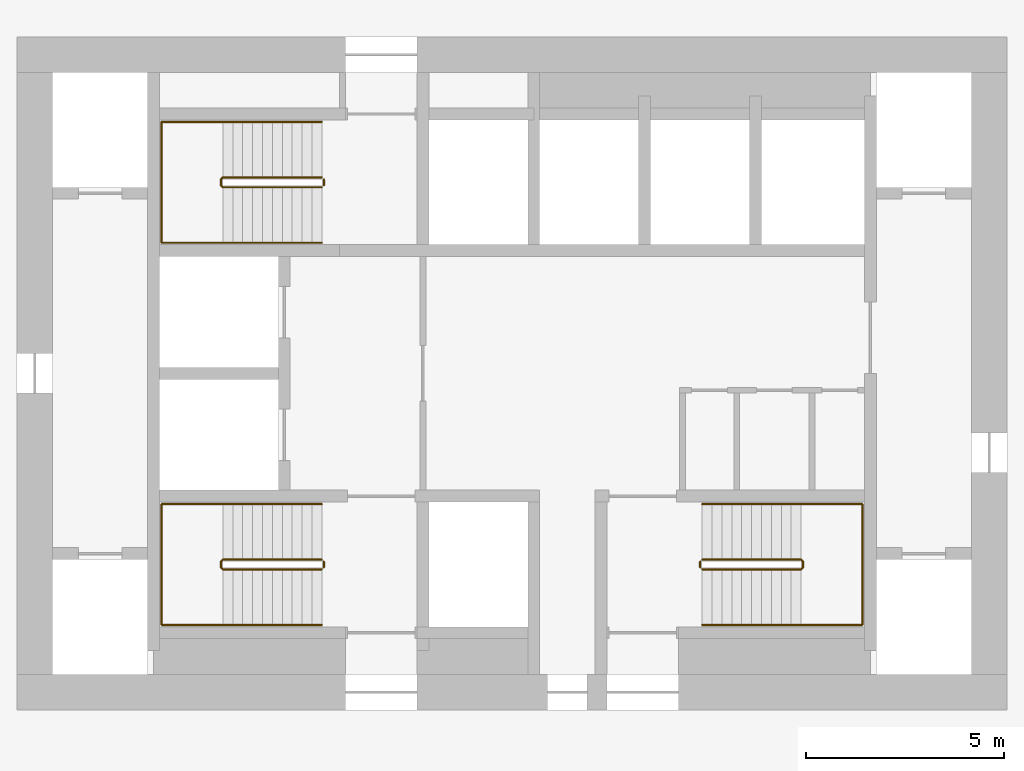
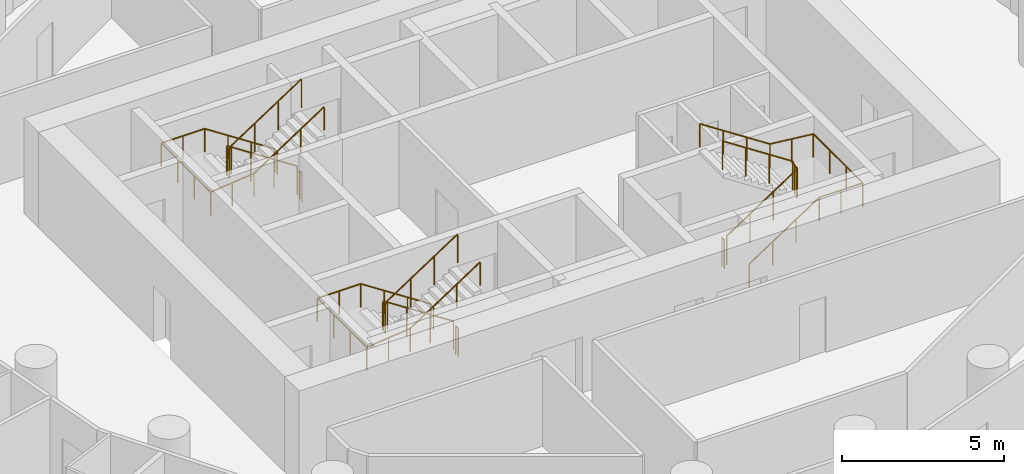
# One storey, part 10 of 10: 9 railings.
"""IFC4 building model written with IfcOpenShell, lengths in metres."""

from ifc_helpers import new_model, si_unit, direction, frame, origin, origin_2d, place, context, subcontext, project, spatial, circle, extrude, material, type_object, element, save


model = new_model("IFC4")

# Units and contexts
model_context = context("Model", 3, precision=1e-05, world=origin(), true_north=direction((0.0, 1.0)))
body_context = subcontext(model_context, "Body", "Model", "MODEL_VIEW")
ifc_project = project(units=[si_unit("LENGTHUNIT", "METRE"), si_unit("AREAUNIT", "SQUARE_METRE"), si_unit("VOLUMEUNIT", "CUBIC_METRE"), si_unit("PLANEANGLEUNIT", "RADIAN"), si_unit("MASSUNIT", "GRAM", prefix="KILO")], contexts=[model_context])

# Site, building, storey
site_placement = place(None, origin())
site = spatial("IfcSite", under=ifc_project, at=site_placement, CompositionType="ELEMENT")
building_placement = place(site_placement, origin())
building = spatial("IfcBuilding", under=site, at=building_placement, Name="Tracery Tower", CompositionType="ELEMENT")
storey_placement = place(building_placement, frame((0.0, 0.0, 194.39990234375)))
storey = spatial("IfcBuildingStorey", under=building, at=storey_placement, Name="L50", CompositionType="ELEMENT", Elevation=194.39990234375)

# Railings
ifc_material_1 = material(Name="Stainless steel and laminated glass", Category="steel")
railing_type_1 = type_object("IfcRailingType", Name="Stair guard 1100", PredefinedType="GUARDRAIL", material=ifc_material_1)
railing_1_placement = place(storey_placement, frame((-4.800048828125, -4.699951171875, 0.163818359375)))
element("IfcRailing", 1, at=railing_1_placement, inside=storey, type_object=railing_type_1, Name="L50 stair ST1 guard 1", PredefinedType="GUARDRAIL", context=body_context, shape_type="SweptSolid", body=[
    extrude(circle(Radius=0.02392578125, at=origin_2d()), frame((0.0, 0.0, 1.076171875), z_axis=(-0.836721939367, 0.0, 0.547627972425), x_axis=(0.0, -1.0, 0.0)), (0.0, 0.0, 1.0), 2.98779296875),
    extrude(circle(Radius=0.02392578125, at=origin_2d()), frame((-2.5, 0.0, 2.71240234375), z_axis=(-0.707106781187, -0.707106781187, 0.0), x_axis=(0.707106781187, -0.707106781187, 0.0)), (0.0, 0.0, 1.0), 0.07080078125),
    extrude(circle(Radius=0.02392578125, at=origin_2d()), frame((-2.550048828125, -0.050048828125, 2.71240234375), z_axis=(0.0, -1.0, 0.0), x_axis=(1.0, 0.0, 0.0)), (0.0, 0.0, 1.0), 0.14990234375),
    extrude(circle(Radius=0.02392578125, at=origin_2d()), frame((-2.550048828125, -0.199951171875, 2.71240234375), z_axis=(0.280808744504, -0.280808744504, 0.917765164963), x_axis=(0.707106781187, 0.707106781187, 0.0)), (0.0, 0.0, 1.0), 0.17822265625),
    extrude(circle(Radius=0.02392578125, at=origin_2d()), frame((-2.5, -0.25, 2.8759765625), z_axis=(0.83668449804, 0.0, 0.54768517484), x_axis=(0.0, 1.0, 0.0)), (0.0, 0.0, 1.0), 2.988037109375),
    extrude(circle(Radius=0.02099609375, at=origin_2d()), origin(), (0.0, 0.0, 1.0), 1.052001953125),
    extrude(circle(Radius=0.02099609375, at=origin_2d()), frame((-0.833251953125, 0.0, 0.54541015625)), (0.0, 0.0, 1.0), 1.052001953125),
    extrude(circle(Radius=0.02099609375, at=origin_2d()), frame((-1.666748046875, 0.0, 1.0908203125)), (0.0, 0.0, 1.0), 1.052001953125),
    extrude(circle(Radius=0.02099609375, at=origin_2d()), frame((-2.5, 0.0, 1.63623046875)), (0.0, 0.0, 1.0), 1.052001953125),
    extrude(circle(Radius=0.02099609375, at=origin_2d()), frame((-2.550048828125, -0.050048828125, 1.63623046875)), (0.0, 0.0, 1.0), 1.052001953125),
    extrude(circle(Radius=0.02099609375, at=origin_2d()), frame((-2.550048828125, -0.199951171875, 1.63623046875)), (0.0, 0.0, 1.0), 1.052001953125),
    extrude(circle(Radius=0.02099609375, at=origin_2d()), frame((-2.5, -0.25, 1.7998046875)), (0.0, 0.0, 1.0), 1.052001953125),
    extrude(circle(Radius=0.02099609375, at=origin_2d()), frame((-1.666748046875, -0.25, 2.34521484375)), (0.0, 0.0, 1.0), 1.052001953125),
    extrude(circle(Radius=0.02099609375, at=origin_2d()), frame((-0.833251953125, -0.25, 2.890869140625)), (0.0, 0.0, 1.0), 1.052001953125),
    extrude(circle(Radius=0.02099609375, at=origin_2d()), frame((0.0, -0.25, 3.436279296875)), (0.0, 0.0, 1.0), 1.052001953125),
])
railing_2_placement = place(storey_placement, frame((-4.75, -4.75, 0.0)))
element("IfcRailing", 2, at=railing_2_placement, inside=storey, type_object=railing_type_1, Name="L50 stair ST1 guard 2", PredefinedType="GUARDRAIL", context=body_context, shape_type="SweptSolid", body=[
    extrude(circle(Radius=0.02392578125, at=origin_2d()), frame((0.0, 0.0, 1.076171875), z_axis=(0.0, -1.0, 0.0), x_axis=(1.0, 0.0, 0.0)), (0.0, 0.0, 1.0), 0.14990234375),
    extrude(circle(Radius=0.02099609375, at=origin_2d()), origin(), (0.0, 0.0, 1.0), 1.052001953125),
    extrude(circle(Radius=0.02099609375, at=origin_2d()), frame((0.0, -0.14990234375, 0.0)), (0.0, 0.0, 1.0), 1.052001953125),
])
railing_3_placement = place(storey_placement, frame((-4.800048828125, 4.949951171875, 0.163818359375)))
element("IfcRailing", 3, at=railing_3_placement, inside=storey, type_object=railing_type_1, Name="L50 stair ST3 guard 1", PredefinedType="GUARDRAIL", context=body_context, shape_type="SweptSolid", body=[
    extrude(circle(Radius=0.02392578125, at=origin_2d()), frame((0.0, 0.0, 1.076171875), z_axis=(-0.836721939367, 0.0, 0.547627972425), x_axis=(0.0, -1.0, 0.0)), (0.0, 0.0, 1.0), 2.98779296875),
    extrude(circle(Radius=0.02392578125, at=origin_2d()), frame((-2.5, 0.0, 2.71240234375), z_axis=(-0.707106781187, -0.707106781187, 0.0), x_axis=(0.707106781187, -0.707106781187, 0.0)), (0.0, 0.0, 1.0), 0.07080078125),
    extrude(circle(Radius=0.02392578125, at=origin_2d()), frame((-2.550048828125, -0.050048828125, 2.71240234375), z_axis=(0.0, -1.0, 0.0), x_axis=(1.0, 0.0, 0.0)), (0.0, 0.0, 1.0), 0.14990234375),
    extrude(circle(Radius=0.02392578125, at=origin_2d()), frame((-2.550048828125, -0.199951171875, 2.71240234375), z_axis=(0.280808744504, -0.280808744504, 0.917765164963), x_axis=(0.707106781187, 0.707106781187, 0.0)), (0.0, 0.0, 1.0), 0.17822265625),
    extrude(circle(Radius=0.02392578125, at=origin_2d()), frame((-2.5, -0.25, 2.8759765625), z_axis=(0.83668449804, 0.0, 0.54768517484), x_axis=(0.0, 1.0, 0.0)), (0.0, 0.0, 1.0), 2.988037109375),
    extrude(circle(Radius=0.02099609375, at=origin_2d()), origin(), (0.0, 0.0, 1.0), 1.052001953125),
    extrude(circle(Radius=0.02099609375, at=origin_2d()), frame((-0.833251953125, 0.0, 0.54541015625)), (0.0, 0.0, 1.0), 1.052001953125),
    extrude(circle(Radius=0.02099609375, at=origin_2d()), frame((-1.666748046875, 0.0, 1.0908203125)), (0.0, 0.0, 1.0), 1.052001953125),
    extrude(circle(Radius=0.02099609375, at=origin_2d()), frame((-2.5, 0.0, 1.63623046875)), (0.0, 0.0, 1.0), 1.052001953125),
    extrude(circle(Radius=0.02099609375, at=origin_2d()), frame((-2.550048828125, -0.050048828125, 1.63623046875)), (0.0, 0.0, 1.0), 1.052001953125),
    extrude(circle(Radius=0.02099609375, at=origin_2d()), frame((-2.550048828125, -0.199951171875, 1.63623046875)), (0.0, 0.0, 1.0), 1.052001953125),
    extrude(circle(Radius=0.02099609375, at=origin_2d()), frame((-2.5, -0.25, 1.7998046875)), (0.0, 0.0, 1.0), 1.052001953125),
    extrude(circle(Radius=0.02099609375, at=origin_2d()), frame((-1.666748046875, -0.25, 2.34521484375)), (0.0, 0.0, 1.0), 1.052001953125),
    extrude(circle(Radius=0.02099609375, at=origin_2d()), frame((-0.833251953125, -0.25, 2.890869140625)), (0.0, 0.0, 1.0), 1.052001953125),
    extrude(circle(Radius=0.02099609375, at=origin_2d()), frame((0.0, -0.25, 3.436279296875)), (0.0, 0.0, 1.0), 1.052001953125),
])
railing_4_placement = place(storey_placement, frame((-4.75, 4.89990234375, 0.0)))
element("IfcRailing", 4, at=railing_4_placement, inside=storey, type_object=railing_type_1, Name="L50 stair ST3 guard 2", PredefinedType="GUARDRAIL", context=body_context, shape_type="SweptSolid", body=[
    extrude(circle(Radius=0.02392578125, at=origin_2d()), frame((0.0, 0.0, 1.076171875), z_axis=(0.0, -1.0, 0.0), x_axis=(1.0, 0.0, 0.0)), (0.0, 0.0, 1.0), 0.14990234375),
    extrude(circle(Radius=0.02099609375, at=origin_2d()), origin(), (0.0, 0.0, 1.0), 1.052001953125),
    extrude(circle(Radius=0.02099609375, at=origin_2d()), frame((0.0, -0.14990234375, 0.0)), (0.0, 0.0, 1.0), 1.052001953125),
])
railing_5_placement = place(storey_placement, frame((4.800048828125, -4.949951171875, 0.163818359375)))
element("IfcRailing", 5, at=railing_5_placement, inside=storey, type_object=railing_type_1, Name="L50 stair ST2 guard 1", PredefinedType="GUARDRAIL", context=body_context, shape_type="SweptSolid", body=[
    extrude(circle(Radius=0.02392578125, at=origin_2d()), frame((0.0, 0.0, 1.076171875), z_axis=(0.836721939367, 0.0, 0.547627972425), x_axis=(0.0, 1.0, 0.0)), (0.0, 0.0, 1.0), 2.98779296875),
    extrude(circle(Radius=0.02392578125, at=origin_2d()), frame((2.5, 0.0, 2.71240234375), z_axis=(0.707106781187, 0.707106781187, 0.0), x_axis=(-0.707106781187, 0.707106781187, 0.0)), (0.0, 0.0, 1.0), 0.07080078125),
    extrude(circle(Radius=0.02392578125, at=origin_2d()), frame((2.550048828125, 0.050048828125, 2.71240234375), z_axis=(0.0, 1.0, 0.0), x_axis=(-1.0, 0.0, 0.0)), (0.0, 0.0, 1.0), 0.14990234375),
    extrude(circle(Radius=0.02392578125, at=origin_2d()), frame((2.550048828125, 0.199951171875, 2.71240234375), z_axis=(-0.280808744504, 0.280808744504, 0.917765164963), x_axis=(-0.707106781187, -0.707106781187, 0.0)), (0.0, 0.0, 1.0), 0.17822265625),
    extrude(circle(Radius=0.02392578125, at=origin_2d()), frame((2.5, 0.25, 2.8759765625), z_axis=(-0.83668449804, 0.0, 0.54768517484), x_axis=(0.0, -1.0, 0.0)), (0.0, 0.0, 1.0), 2.988037109375),
    extrude(circle(Radius=0.02099609375, at=origin_2d()), origin(), (0.0, 0.0, 1.0), 1.052001953125),
    extrude(circle(Radius=0.02099609375, at=origin_2d()), frame((0.833251953125, 0.0, 0.54541015625)), (0.0, 0.0, 1.0), 1.052001953125),
    extrude(circle(Radius=0.02099609375, at=origin_2d()), frame((1.666748046875, 0.0, 1.0908203125)), (0.0, 0.0, 1.0), 1.052001953125),
    extrude(circle(Radius=0.02099609375, at=origin_2d()), frame((2.5, 0.0, 1.63623046875)), (0.0, 0.0, 1.0), 1.052001953125),
    extrude(circle(Radius=0.02099609375, at=origin_2d()), frame((2.550048828125, 0.050048828125, 1.63623046875)), (0.0, 0.0, 1.0), 1.052001953125),
    extrude(circle(Radius=0.02099609375, at=origin_2d()), frame((2.550048828125, 0.199951171875, 1.63623046875)), (0.0, 0.0, 1.0), 1.052001953125),
    extrude(circle(Radius=0.02099609375, at=origin_2d()), frame((2.5, 0.25, 1.7998046875)), (0.0, 0.0, 1.0), 1.052001953125),
    extrude(circle(Radius=0.02099609375, at=origin_2d()), frame((1.666748046875, 0.25, 2.34521484375)), (0.0, 0.0, 1.0), 1.052001953125),
    extrude(circle(Radius=0.02099609375, at=origin_2d()), frame((0.833251953125, 0.25, 2.890869140625)), (0.0, 0.0, 1.0), 1.052001953125),
    extrude(circle(Radius=0.02099609375, at=origin_2d()), frame((0.0, 0.25, 3.436279296875)), (0.0, 0.0, 1.0), 1.052001953125),
])
railing_6_placement = place(storey_placement, frame((4.75, -4.89990234375, 0.0)))
element("IfcRailing", 6, at=railing_6_placement, inside=storey, type_object=railing_type_1, Name="L50 stair ST2 guard 2", PredefinedType="GUARDRAIL", context=body_context, shape_type="SweptSolid", body=[
    extrude(circle(Radius=0.02392578125, at=origin_2d()), frame((0.0, 0.0, 1.076171875), z_axis=(0.0, 1.0, 0.0), x_axis=(-1.0, 0.0, 0.0)), (0.0, 0.0, 1.0), 0.14990234375),
    extrude(circle(Radius=0.02099609375, at=origin_2d()), origin(), (0.0, 0.0, 1.0), 1.052001953125),
    extrude(circle(Radius=0.02099609375, at=origin_2d()), frame((0.0, 0.14990234375, 0.0)), (0.0, 0.0, 1.0), 1.052001953125),
])
ifc_material_2 = material(Name="Stainless steel and laminated glass", Category="steel")
railing_type_2 = type_object("IfcRailingType", Name="Stair handrail 900", PredefinedType="HANDRAIL", material=ifc_material_2)
railing_7_placement = place(storey_placement, frame((-4.800048828125, -3.300048828125, 0.163818359375)))
element("IfcRailing", 7, at=railing_7_placement, inside=storey, type_object=railing_type_2, Name="L50 stair ST1 handrail 1", PredefinedType="HANDRAIL", context=body_context, shape_type="SweptSolid", body=[
    extrude(circle(Radius=0.02392578125, at=origin_2d()), frame((0.0, 0.0, 0.8759765625), z_axis=(-0.836721939367, 0.0, 0.547627972425), x_axis=(0.0, -1.0, 0.0)), (0.0, 0.0, 1.0), 2.98779296875),
    extrude(circle(Radius=0.02392578125, at=origin_2d()), frame((-2.5, 0.0, 2.51220703125), z_axis=(-1.0, 0.0, 0.0), x_axis=(0.0, -1.0, 0.0)), (0.0, 0.0, 1.0), 1.550048828125),
    extrude(circle(Radius=0.02392578125, at=origin_2d()), frame((-4.050048828125, 0.0, 2.51220703125), z_axis=(0.0, -1.0, 0.0), x_axis=(1.0, 0.0, 0.0)), (0.0, 0.0, 1.0), 3.050048828125),
    extrude(circle(Radius=0.02392578125, at=origin_2d()), frame((-4.050048828125, -3.050048828125, 2.51220703125), z_axis=(0.994477953863, 0.0, 0.104945696817), x_axis=(0.0, 1.0, 0.0)), (0.0, 0.0, 1.0), 1.55859375),
    extrude(circle(Radius=0.02392578125, at=origin_2d()), frame((-2.5, -3.050048828125, 2.67578125), z_axis=(0.83668449804, 0.0, 0.54768517484), x_axis=(0.0, 1.0, 0.0)), (0.0, 0.0, 1.0), 2.988037109375),
    extrude(circle(Radius=0.02099609375, at=origin_2d()), origin(), (0.0, 0.0, 1.0), 0.851806640625),
    extrude(circle(Radius=0.02099609375, at=origin_2d()), frame((-0.833251953125, 0.0, 0.54541015625)), (0.0, 0.0, 1.0), 0.851806640625),
    extrude(circle(Radius=0.02099609375, at=origin_2d()), frame((-1.666748046875, 0.0, 1.0908203125)), (0.0, 0.0, 1.0), 0.851806640625),
    extrude(circle(Radius=0.02099609375, at=origin_2d()), frame((-2.5, 0.0, 1.63623046875)), (0.0, 0.0, 1.0), 0.851806640625),
    extrude(circle(Radius=0.02099609375, at=origin_2d()), frame((-3.27490234375, 0.0, 1.63623046875)), (0.0, 0.0, 1.0), 0.851806640625),
    extrude(circle(Radius=0.02099609375, at=origin_2d()), frame((-4.050048828125, 0.0, 1.63623046875)), (0.0, 0.0, 1.0), 0.851806640625),
    extrude(circle(Radius=0.02099609375, at=origin_2d()), frame((-4.050048828125, -1.0166015625, 1.63623046875)), (0.0, 0.0, 1.0), 0.851806640625),
    extrude(circle(Radius=0.02099609375, at=origin_2d()), frame((-4.050048828125, -2.033447265625, 1.63623046875)), (0.0, 0.0, 1.0), 0.851806640625),
    extrude(circle(Radius=0.02099609375, at=origin_2d()), frame((-4.050048828125, -3.050048828125, 1.63623046875)), (0.0, 0.0, 1.0), 0.851806640625),
    extrude(circle(Radius=0.02099609375, at=origin_2d()), frame((-3.27490234375, -3.050048828125, 1.718017578125)), (0.0, 0.0, 1.0), 0.851806640625),
    extrude(circle(Radius=0.02099609375, at=origin_2d()), frame((-2.5, -3.050048828125, 1.7998046875)), (0.0, 0.0, 1.0), 0.851806640625),
    extrude(circle(Radius=0.02099609375, at=origin_2d()), frame((-1.666748046875, -3.050048828125, 2.34521484375)), (0.0, 0.0, 1.0), 0.851806640625),
    extrude(circle(Radius=0.02099609375, at=origin_2d()), frame((-0.833251953125, -3.050048828125, 2.890869140625)), (0.0, 0.0, 1.0), 0.851806640625),
    extrude(circle(Radius=0.02099609375, at=origin_2d()), frame((0.0, -3.050048828125, 3.436279296875)), (0.0, 0.0, 1.0), 0.851806640625),
])
railing_8_placement = place(storey_placement, frame((-4.800048828125, 6.35009765625, 0.163818359375)))
element("IfcRailing", 8, at=railing_8_placement, inside=storey, type_object=railing_type_2, Name="L50 stair ST3 handrail 1", PredefinedType="HANDRAIL", context=body_context, shape_type="SweptSolid", body=[
    extrude(circle(Radius=0.02392578125, at=origin_2d()), frame((0.0, 0.0, 0.8759765625), z_axis=(-0.836721939367, 0.0, 0.547627972425), x_axis=(0.0, -1.0, 0.0)), (0.0, 0.0, 1.0), 2.98779296875),
    extrude(circle(Radius=0.02392578125, at=origin_2d()), frame((-2.5, 0.0, 2.51220703125), z_axis=(-1.0, 0.0, 0.0), x_axis=(0.0, -1.0, 0.0)), (0.0, 0.0, 1.0), 1.550048828125),
    extrude(circle(Radius=0.02392578125, at=origin_2d()), frame((-4.050048828125, 0.0, 2.51220703125), z_axis=(0.0, -1.0, 0.0), x_axis=(1.0, 0.0, 0.0)), (0.0, 0.0, 1.0), 3.050048828125),
    extrude(circle(Radius=0.02392578125, at=origin_2d()), frame((-4.050048828125, -3.050048828125, 2.51220703125), z_axis=(0.994477953863, 0.0, 0.104945696817), x_axis=(0.0, 1.0, 0.0)), (0.0, 0.0, 1.0), 1.55859375),
    extrude(circle(Radius=0.02392578125, at=origin_2d()), frame((-2.5, -3.050048828125, 2.67578125), z_axis=(0.83668449804, 0.0, 0.54768517484), x_axis=(0.0, 1.0, 0.0)), (0.0, 0.0, 1.0), 2.988037109375),
    extrude(circle(Radius=0.02099609375, at=origin_2d()), origin(), (0.0, 0.0, 1.0), 0.851806640625),
    extrude(circle(Radius=0.02099609375, at=origin_2d()), frame((-0.833251953125, 0.0, 0.54541015625)), (0.0, 0.0, 1.0), 0.851806640625),
    extrude(circle(Radius=0.02099609375, at=origin_2d()), frame((-1.666748046875, 0.0, 1.0908203125)), (0.0, 0.0, 1.0), 0.851806640625),
    extrude(circle(Radius=0.02099609375, at=origin_2d()), frame((-2.5, 0.0, 1.63623046875)), (0.0, 0.0, 1.0), 0.851806640625),
    extrude(circle(Radius=0.02099609375, at=origin_2d()), frame((-3.27490234375, 0.0, 1.63623046875)), (0.0, 0.0, 1.0), 0.851806640625),
    extrude(circle(Radius=0.02099609375, at=origin_2d()), frame((-4.050048828125, 0.0, 1.63623046875)), (0.0, 0.0, 1.0), 0.851806640625),
    extrude(circle(Radius=0.02099609375, at=origin_2d()), frame((-4.050048828125, -1.0166015625, 1.63623046875)), (0.0, 0.0, 1.0), 0.851806640625),
    extrude(circle(Radius=0.02099609375, at=origin_2d()), frame((-4.050048828125, -2.033447265625, 1.63623046875)), (0.0, 0.0, 1.0), 0.851806640625),
    extrude(circle(Radius=0.02099609375, at=origin_2d()), frame((-4.050048828125, -3.050048828125, 1.63623046875)), (0.0, 0.0, 1.0), 0.851806640625),
    extrude(circle(Radius=0.02099609375, at=origin_2d()), frame((-3.27490234375, -3.050048828125, 1.718017578125)), (0.0, 0.0, 1.0), 0.851806640625),
    extrude(circle(Radius=0.02099609375, at=origin_2d()), frame((-2.5, -3.050048828125, 1.7998046875)), (0.0, 0.0, 1.0), 0.851806640625),
    extrude(circle(Radius=0.02099609375, at=origin_2d()), frame((-1.666748046875, -3.050048828125, 2.34521484375)), (0.0, 0.0, 1.0), 0.851806640625),
    extrude(circle(Radius=0.02099609375, at=origin_2d()), frame((-0.833251953125, -3.050048828125, 2.890869140625)), (0.0, 0.0, 1.0), 0.851806640625),
    extrude(circle(Radius=0.02099609375, at=origin_2d()), frame((0.0, -3.050048828125, 3.436279296875)), (0.0, 0.0, 1.0), 0.851806640625),
])
railing_9_placement = place(storey_placement, frame((4.800048828125, -6.35009765625, 0.163818359375)))
element("IfcRailing", 9, at=railing_9_placement, inside=storey, type_object=railing_type_2, Name="L50 stair ST2 handrail 1", PredefinedType="HANDRAIL", context=body_context, shape_type="SweptSolid", body=[
    extrude(circle(Radius=0.02392578125, at=origin_2d()), frame((0.0, 0.0, 0.8759765625), z_axis=(0.836721939367, 0.0, 0.547627972425), x_axis=(0.0, 1.0, 0.0)), (0.0, 0.0, 1.0), 2.98779296875),
    extrude(circle(Radius=0.02392578125, at=origin_2d()), frame((2.5, 0.0, 2.51220703125), z_axis=(1.0, 0.0, 0.0), x_axis=(0.0, 1.0, 0.0)), (0.0, 0.0, 1.0), 1.550048828125),
    extrude(circle(Radius=0.02392578125, at=origin_2d()), frame((4.050048828125, 0.0, 2.51220703125), z_axis=(0.0, 1.0, 0.0), x_axis=(-1.0, 0.0, 0.0)), (0.0, 0.0, 1.0), 3.050048828125),
    extrude(circle(Radius=0.02392578125, at=origin_2d()), frame((4.050048828125, 3.050048828125, 2.51220703125), z_axis=(-0.994477953863, 0.0, 0.104945696817), x_axis=(0.0, -1.0, 0.0)), (0.0, 0.0, 1.0), 1.55859375),
    extrude(circle(Radius=0.02392578125, at=origin_2d()), frame((2.5, 3.050048828125, 2.67578125), z_axis=(-0.83668449804, 0.0, 0.54768517484), x_axis=(0.0, -1.0, 0.0)), (0.0, 0.0, 1.0), 2.988037109375),
    extrude(circle(Radius=0.02099609375, at=origin_2d()), origin(), (0.0, 0.0, 1.0), 0.851806640625),
    extrude(circle(Radius=0.02099609375, at=origin_2d()), frame((0.833251953125, 0.0, 0.54541015625)), (0.0, 0.0, 1.0), 0.851806640625),
    extrude(circle(Radius=0.02099609375, at=origin_2d()), frame((1.666748046875, 0.0, 1.0908203125)), (0.0, 0.0, 1.0), 0.851806640625),
    extrude(circle(Radius=0.02099609375, at=origin_2d()), frame((2.5, 0.0, 1.63623046875)), (0.0, 0.0, 1.0), 0.851806640625),
    extrude(circle(Radius=0.02099609375, at=origin_2d()), frame((3.27490234375, 0.0, 1.63623046875)), (0.0, 0.0, 1.0), 0.851806640625),
    extrude(circle(Radius=0.02099609375, at=origin_2d()), frame((4.050048828125, 0.0, 1.63623046875)), (0.0, 0.0, 1.0), 0.851806640625),
    extrude(circle(Radius=0.02099609375, at=origin_2d()), frame((4.050048828125, 1.0166015625, 1.63623046875)), (0.0, 0.0, 1.0), 0.851806640625),
    extrude(circle(Radius=0.02099609375, at=origin_2d()), frame((4.050048828125, 2.033447265625, 1.63623046875)), (0.0, 0.0, 1.0), 0.851806640625),
    extrude(circle(Radius=0.02099609375, at=origin_2d()), frame((4.050048828125, 3.050048828125, 1.63623046875)), (0.0, 0.0, 1.0), 0.851806640625),
    extrude(circle(Radius=0.02099609375, at=origin_2d()), frame((3.27490234375, 3.050048828125, 1.718017578125)), (0.0, 0.0, 1.0), 0.851806640625),
    extrude(circle(Radius=0.02099609375, at=origin_2d()), frame((2.5, 3.050048828125, 1.7998046875)), (0.0, 0.0, 1.0), 0.851806640625),
    extrude(circle(Radius=0.02099609375, at=origin_2d()), frame((1.666748046875, 3.050048828125, 2.34521484375)), (0.0, 0.0, 1.0), 0.851806640625),
    extrude(circle(Radius=0.02099609375, at=origin_2d()), frame((0.833251953125, 3.050048828125, 2.890869140625)), (0.0, 0.0, 1.0), 0.851806640625),
    extrude(circle(Radius=0.02099609375, at=origin_2d()), frame((0.0, 3.050048828125, 3.436279296875)), (0.0, 0.0, 1.0), 0.851806640625),
])

save(model, "model.ifc")
